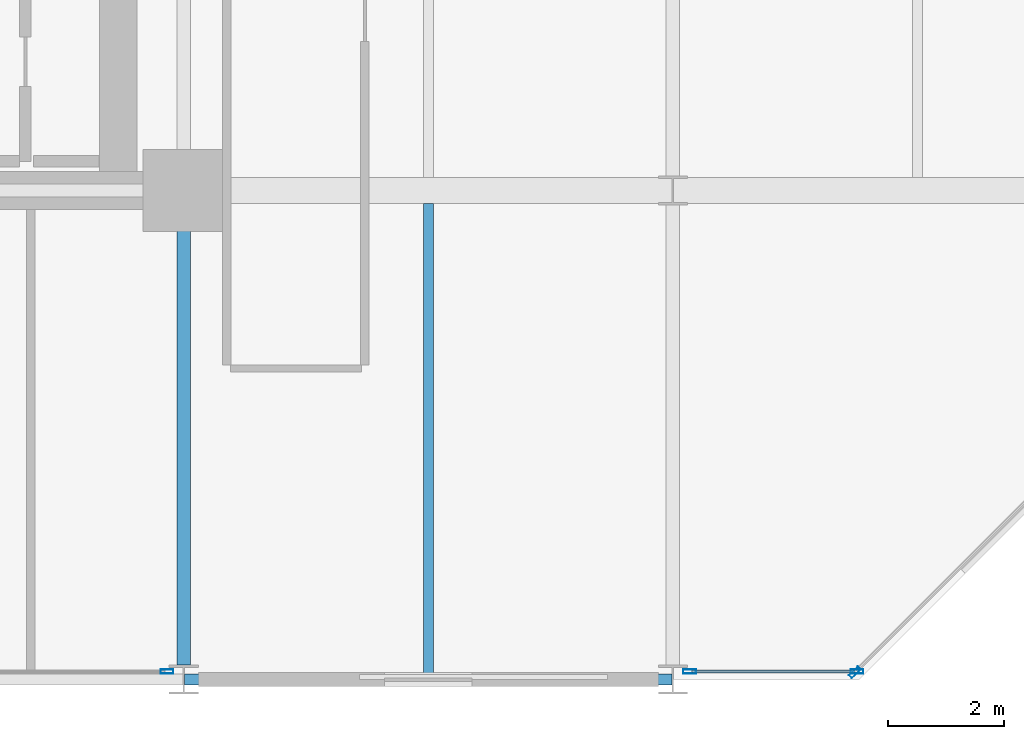
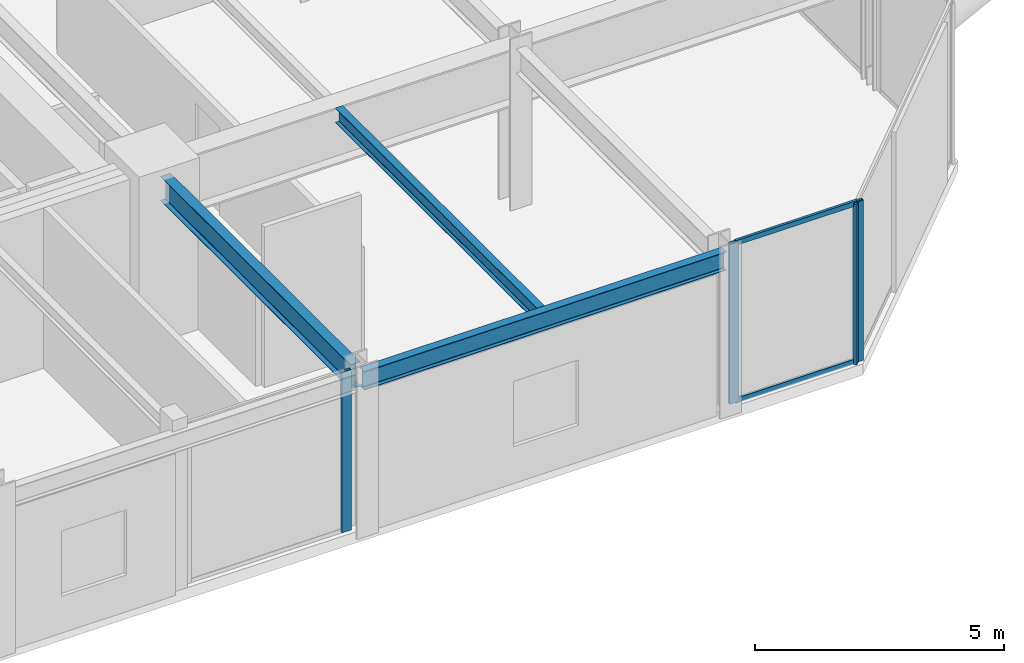
# One storey, part 9 of 25: 6 members, 3 beams, 3 elements without a shape of their own.
"""IFC4 building model written with IfcOpenShell, lengths in metres."""

from ifc_helpers import new_model, si_unit, direction, frame, origin, origin_2d, place, context, subcontext, project, spatial, hollow_rectangle, i_section, extrude, material, layer, layer_set, material_profile, profile_set, type_object, element, aggregate, save


model = new_model("IFC4")

# Units and contexts
model_context = context("Model", 3, precision=1e-05, world=origin(), true_north=direction((0.0, 1.0)))
body_context = subcontext(model_context, "Body", "Model", "MODEL_VIEW")
ifc_project = project(units=[si_unit("LENGTHUNIT", "METRE"), si_unit("AREAUNIT", "SQUARE_METRE"), si_unit("VOLUMEUNIT", "CUBIC_METRE"), si_unit("PLANEANGLEUNIT", "RADIAN"), si_unit("MASSUNIT", "GRAM", prefix="KILO")], contexts=[model_context])

# Site, building, storey
site_placement = place(None, origin())
site = spatial("IfcSite", under=ifc_project, at=site_placement, CompositionType="ELEMENT")
building_placement = place(site_placement, origin())
building = spatial("IfcBuilding", under=site, at=building_placement, Name="Nerrivon Quay Data Exchange", CompositionType="ELEMENT")
storey_placement = place(building_placement, frame((0.0, 0.0, 58.39990234375)))
storey = spatial("IfcBuildingStorey", under=building, at=storey_placement, Name="L13", CompositionType="ELEMENT", Elevation=58.39990234375)

# Beams
ifc_material_1 = material(Name="Steel Grade 350", Category="steel")
ifc_material_profile_1 = material_profile(ifc_material_1, i_section(OverallWidth=0.22802734375, OverallDepth=0.60205078125, WebThickness=0.010498046875, FlangeThickness=0.014892578125, FilletRadius=0.013916015625, at=origin_2d()), Name="610UB101")
ifc_profile_set_1 = profile_set([ifc_material_profile_1], Name="Steel Grade 350")
beam_type_1 = type_object("IfcBeamType", Name="BM-G2-610UB101", PredefinedType="BEAM", material=ifc_profile_set_1)
beam_1_placement = place(storey_placement, frame((33.60009765625, 0.25, 3.6240234375), z_axis=(0.0, 1.0, 0.0), x_axis=(-1.0, 0.0, 0.0)))
element("IfcBeam", 1, at=beam_1_placement, inside=storey, type_object=beam_type_1, Name="L13 NS Girder X=33.6 (0.0..8.4)", PredefinedType="BEAM", context=body_context, shape_type="SweptSolid", body=[
    extrude(i_section(OverallWidth=0.22802734375, OverallDepth=0.60205078125, WebThickness=0.010498046875, FlangeThickness=0.014892578125, FilletRadius=0.013916015625, at=origin_2d()), origin(), (0.0, 0.0, 1.0), 7.610107421875),
])
ifc_material_profile_2 = material_profile(ifc_material_1, i_section(OverallWidth=0.172119140625, OverallDepth=0.35888671875, WebThickness=0.008056640625, FlangeThickness=0.012939453125, FilletRadius=0.011474609375, at=origin_2d()), Name="360UB56.7")
ifc_profile_set_2 = profile_set([ifc_material_profile_2], Name="Steel Grade 350")
beam_type_2 = type_object("IfcBeamType", Name="BM-J3-360UB57", PredefinedType="JOIST", material=ifc_profile_set_2)
beam_2_placement = place(storey_placement, frame((37.800048828125, 0.094970703125, 3.74560546875), z_axis=(0.0, 1.0, 0.0), x_axis=(-1.0, 0.0, 0.0)))
element("IfcBeam", 2, at=beam_2_placement, inside=storey, type_object=beam_type_2, Name="L13 Secondary Joist X=37.8 (0.0..8.4)", PredefinedType="JOIST", context=body_context, shape_type="SweptSolid", body=[
    extrude(i_section(OverallWidth=0.172119140625, OverallDepth=0.35888671875, WebThickness=0.008056640625, FlangeThickness=0.012939453125, FilletRadius=0.011474609375, at=origin_2d()), origin(), (0.0, 0.0, 1.0), 8.080078125),
])
ifc_material_profile_3 = material_profile(ifc_material_1, i_section(OverallWidth=0.18994140625, OverallDepth=0.4541015625, WebThickness=0.008544921875, FlangeThickness=0.0126953125, FilletRadius=0.011474609375, at=origin_2d()), Name="460UB67.1")
ifc_profile_set_3 = profile_set([ifc_material_profile_3], Name="Steel Grade 350")
beam_type_3 = type_object("IfcBeamType", Name="BM-SP1-460UB67", PredefinedType="SPANDREL", material=ifc_profile_set_3)
beam_3_placement = place(storey_placement, frame((33.614013671875, 0.0, 3.697998046875), z_axis=(1.0, 0.0, 0.0), x_axis=(0.0, 1.0, 0.0)))
element("IfcBeam", 3, at=beam_3_placement, inside=storey, type_object=beam_type_3, Name="L13 EW Girder Y=0.0 (33.6..42.0)", PredefinedType="SPANDREL", context=body_context, shape_type="SweptSolid", body=[
    extrude(i_section(OverallWidth=0.18994140625, OverallDepth=0.4541015625, WebThickness=0.008544921875, FlangeThickness=0.0126953125, FilletRadius=0.011474609375, at=origin_2d()), origin(), (0.0, 0.0, 1.0), 8.3720703125),
])

# Curtain wall, member
ifc_material_2 = material(Name="Anodised aluminium 6063-T6", Category="aluminium")
ifc_layer = layer(ifc_material_2, 0.219970703125)
ifc_layer_set = layer_set([ifc_layer], Name="Anodised aluminium 6063-T6")
curtain_wall_type = type_object("IfcCurtainWallType", Name="CW-SYS-01", PredefinedType="NOTDEFINED", material=ifc_layer_set)
curtain_wall_1_placement = place(storey_placement, origin())
curtain_wall_1 = element("IfcCurtainWall", 4, at=curtain_wall_1_placement, inside=storey, type_object=curtain_wall_type, Name="L13 Unitised Curtain Wall 1", PredefinedType="NOTDEFINED")
ifc_material_profile_4 = material_profile(ifc_material_2, hollow_rectangle(XDim=0.074951171875, YDim=0.219970703125, WallThickness=0.00390625, at=origin_2d()), Name="ALU-MULL-220x75")
ifc_profile_set_4 = profile_set([ifc_material_profile_4], Name="Anodised aluminium 6063-T6")
member_type_1 = type_object("IfcMemberType", Name="CWM-220x75", PredefinedType="MULLION", material=ifc_profile_set_4)
member_1_placement = place(storey_placement, frame((45.12744140625, 0.12548828125, 0.0), z_axis=(0.0, 0.0, 1.0), x_axis=(0.707106781187, -0.707106781187, 0.0)))
member_1 = element("IfcMember", 5, at=member_1_placement, type_object=member_type_1, Name="CW01 mullion 2", PredefinedType="MULLION", context=body_context, shape_type="SweptSolid", body=[
    extrude(hollow_rectangle(XDim=0.074951171875, YDim=0.219970703125, WallThickness=0.00390625, at=origin_2d()), origin(), (0.0, 0.0, 1.0), 3.925048828125),
])
aggregate(curtain_wall_1, [member_1])

# Curtain wall, members
curtain_wall_2_placement = place(storey_placement, origin())
curtain_wall_2 = element("IfcCurtainWall", 6, at=curtain_wall_2_placement, inside=storey, type_object=curtain_wall_type, Name="L13 Unitised Curtain Wall 2", PredefinedType="NOTDEFINED")
member_2_placement = place(storey_placement, frame((45.16259765625, 0.139892578125, 0.0), z_axis=(0.0, 0.0, 1.0), x_axis=(0.0, -1.0, 0.0)))
member_2 = element("IfcMember", 7, at=member_2_placement, type_object=member_type_1, Name="CW01 mullion 1", PredefinedType="MULLION", context=body_context, shape_type="SweptSolid", body=[
    extrude(hollow_rectangle(XDim=0.074951171875, YDim=0.219970703125, WallThickness=0.00390625, at=origin_2d()), origin(), (0.0, 0.0, 1.0), 3.925048828125),
])
member_3_placement = place(storey_placement, frame((42.28759765625, 0.139892578125, 0.0), z_axis=(0.0, 0.0, 1.0), x_axis=(0.0, -1.0, 0.0)))
member_3 = element("IfcMember", 8, at=member_3_placement, type_object=member_type_1, Name="CW01 mullion 2", PredefinedType="MULLION", context=body_context, shape_type="SweptSolid", body=[
    extrude(hollow_rectangle(XDim=0.074951171875, YDim=0.219970703125, WallThickness=0.00390625, at=origin_2d()), origin(), (0.0, 0.0, 1.0), 3.925048828125),
])

# Curtain wall, member
curtain_wall_3_placement = place(storey_placement, origin())
curtain_wall_3 = element("IfcCurtainWall", 9, at=curtain_wall_3_placement, inside=storey, type_object=curtain_wall_type, Name="L13 Unitised Curtain Wall 4", PredefinedType="NOTDEFINED")
member_4_placement = place(storey_placement, frame((33.3125, 0.139892578125, 0.0), z_axis=(0.0, 0.0, 1.0), x_axis=(0.0, -1.0, 0.0)))
member_4 = element("IfcMember", 10, at=member_4_placement, type_object=member_type_1, Name="CW01 mullion 1", PredefinedType="MULLION", context=body_context, shape_type="SweptSolid", body=[
    extrude(hollow_rectangle(XDim=0.074951171875, YDim=0.219970703125, WallThickness=0.00390625, at=origin_2d()), origin(), (0.0, 0.0, 1.0), 3.925048828125),
])
aggregate(curtain_wall_3, [member_4])

# Member
ifc_material_profile_5 = material_profile(ifc_material_2, hollow_rectangle(XDim=0.06005859375, YDim=0.1201171875, WallThickness=0.003173828125, at=origin_2d()), Name="ALU-TRAN-120x60")
ifc_profile_set_5 = profile_set([ifc_material_profile_5], Name="Anodised aluminium 6063-T6")
member_type_2 = type_object("IfcMemberType", Name="CWT-120x60", PredefinedType="USERDEFINED", material=ifc_profile_set_5)
member_5_placement = place(storey_placement, frame((45.125, 0.139892578125, 0.03271484375), z_axis=(-1.0, 0.0, 0.0), x_axis=(0.0, -1.0, 0.0)))
member_5 = element("IfcMember", 11, at=member_5_placement, type_object=member_type_2, Name="CW01 transom 1.1", ObjectType="TRANSOM", PredefinedType="USERDEFINED", context=body_context, shape_type="SweptSolid", body=[
    extrude(hollow_rectangle(XDim=0.06005859375, YDim=0.1201171875, WallThickness=0.003173828125, at=origin_2d()), origin(), (0.0, 0.0, 1.0), 2.800048828125),
])

member_6_placement = place(storey_placement, frame((45.125, 0.139892578125, 3.892578125), z_axis=(-1.0, 0.0, 0.0), x_axis=(0.0, -1.0, 0.0)))
member_6 = element("IfcMember", 12, at=member_6_placement, type_object=member_type_2, Name="CW01 transom 1.2", ObjectType="TRANSOM", PredefinedType="USERDEFINED", context=body_context, shape_type="SweptSolid", body=[
    extrude(hollow_rectangle(XDim=0.06005859375, YDim=0.1201171875, WallThickness=0.003173828125, at=origin_2d()), origin(), (0.0, 0.0, 1.0), 2.800048828125),
])

aggregate(curtain_wall_2, [member_2, member_3, member_5, member_6])

save(model, "model.ifc")
